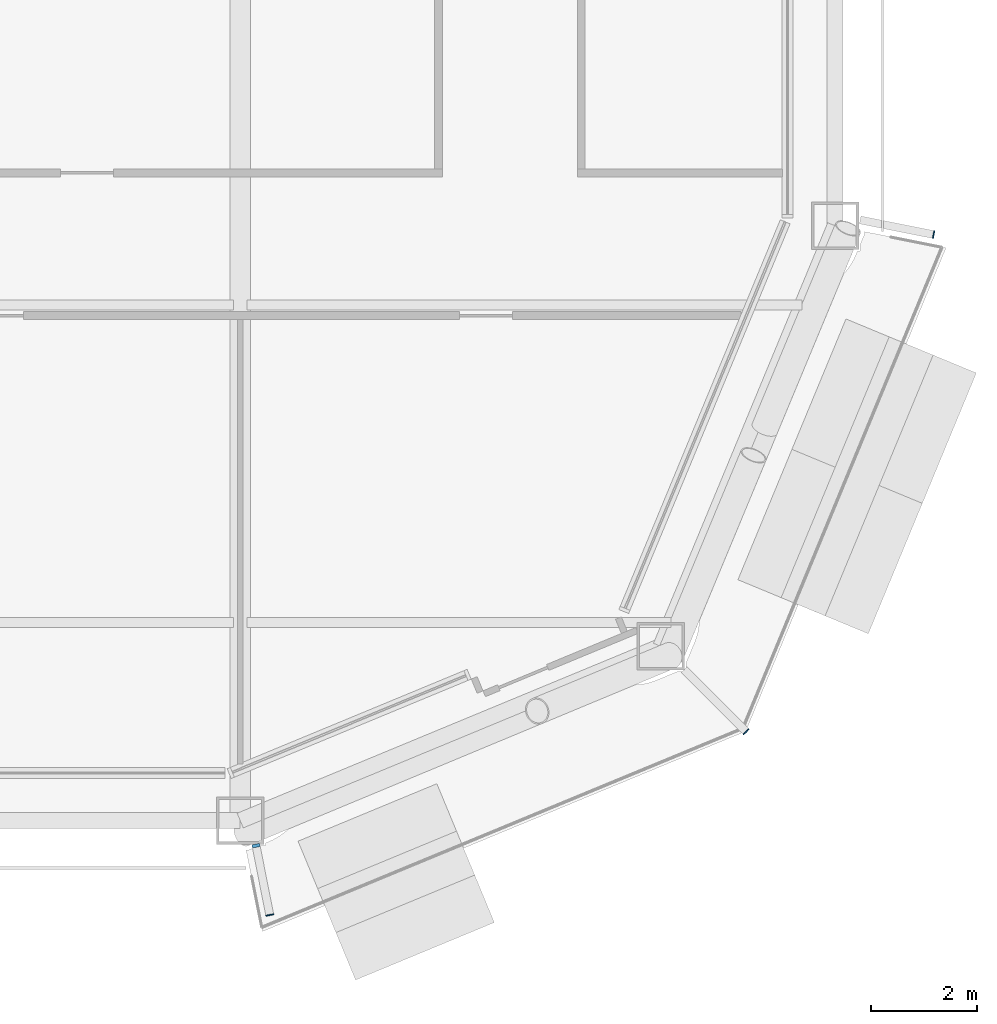
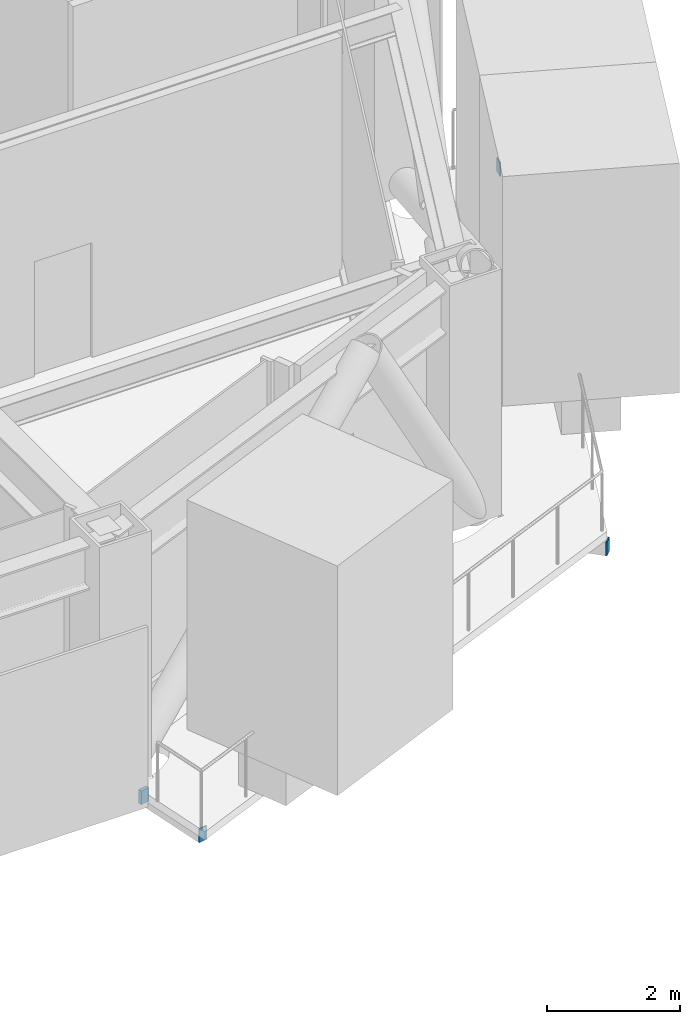
# One storey, part 16 of 23: 4 discrete accessories.
"""IFC4 building model written with IfcOpenShell, lengths in metres."""

from ifc_helpers import new_model, si_unit, direction, frame, origin, origin_2d, place, context, subcontext, project, spatial, rectangle, extrude, material, layer, layer_set, type_object, element, save


model = new_model("IFC4")

# Units and contexts
model_context = context("Model", 3, precision=1e-05, world=origin(), true_north=direction((0.0, 1.0)))
body_context = subcontext(model_context, "Body", "Model", "MODEL_VIEW")
ifc_project = project(units=[si_unit("LENGTHUNIT", "METRE"), si_unit("AREAUNIT", "SQUARE_METRE"), si_unit("VOLUMEUNIT", "CUBIC_METRE"), si_unit("PLANEANGLEUNIT", "RADIAN"), si_unit("MASSUNIT", "GRAM", prefix="KILO")], contexts=[model_context])

# Site, building, storey
site_placement = place(None, origin())
site = spatial("IfcSite", under=ifc_project, at=site_placement, CompositionType="ELEMENT")
building_placement = place(site_placement, origin())
building = spatial("IfcBuilding", under=site, at=building_placement, Name="Siwar Civic Tower", CompositionType="ELEMENT")
storey_placement = place(building_placement, frame((0.0, 0.0, 145.199951171875)))
storey = spatial("IfcBuildingStorey", under=building, at=storey_placement, Name="L31", CompositionType="ELEMENT", Elevation=145.199951171875)

# Discrete accessories
ifc_material_1 = material(Name="Stainless steel 316", Category="steel")
discrete_accessory_type_1 = type_object("IfcDiscreteAccessoryType", Name="ENV-BRACKET", PredefinedType="BRACKET", material=ifc_material_1)
discrete_accessory_placement = place(storey_placement, frame((18.29833984375, -29.72509765625, -0.39990234375), z_axis=(0.0, 0.0, 1.0), x_axis=(0.195090322016, -0.980785280403, 0.0)))
element("IfcDiscreteAccessory", 1, at=discrete_accessory_placement, inside=storey, type_object=discrete_accessory_type_1, Name="Bracket balcony cantilever beam SE 1", PredefinedType="BRACKET", context=body_context, shape_type="SweptSolid", body=[
    extrude(rectangle(XDim=0.06005859375, YDim=0.14990234375, at=origin_2d()), origin(), (0.0, 0.0, 1.0), 0.25),
])
ifc_material_2 = material(Name="Steel S355", Category="steel")
ifc_layer = layer(ifc_material_2, 0.02001953125)
ifc_layer_set = layer_set([ifc_layer], Name="Steel S355")
discrete_accessory_type_2 = type_object("IfcDiscreteAccessoryType", Name="STR-END-CAP", PredefinedType="USERDEFINED", material=ifc_layer_set)
for number, where, z_axis, x_axis, name in (
    (2, (18.559326171875, -31.036376953125, -0.39990234375), (0.0, 0.0, 1.0), (0.195090322204, -0.980785280366, 0.0), "End cap plate Balcony cantilever beam SE 1"),
    (3, (27.5693359375, -27.5693359375, -0.39990234375), (0.0, 0.0, 1.0), (0.707106781187, -0.707106781187, 0.0), "End cap plate Balcony cantilever beam SE 2"),
    (4, (31.114501953125, -18.1669921875, -0.39990234375), (0.0, 0.0, 1.0), (0.980785280424, -0.195090321913, 0.0), "End cap plate Balcony cantilever beam SE 3"),
):
    element("IfcDiscreteAccessory", number, at=place(storey_placement, frame(where, z_axis=z_axis, x_axis=x_axis)), inside=storey, type_object=discrete_accessory_type_2, Name=name, ObjectType="END CAP PLATE", PredefinedType="USERDEFINED", context=body_context, shape_type="SweptSolid", body=[
        extrude(rectangle(XDim=0.02001953125, YDim=0.14990234375, at=origin_2d()), origin(), (0.0, 0.0, 1.0), 0.25),
    ])

save(model, "model.ifc")
